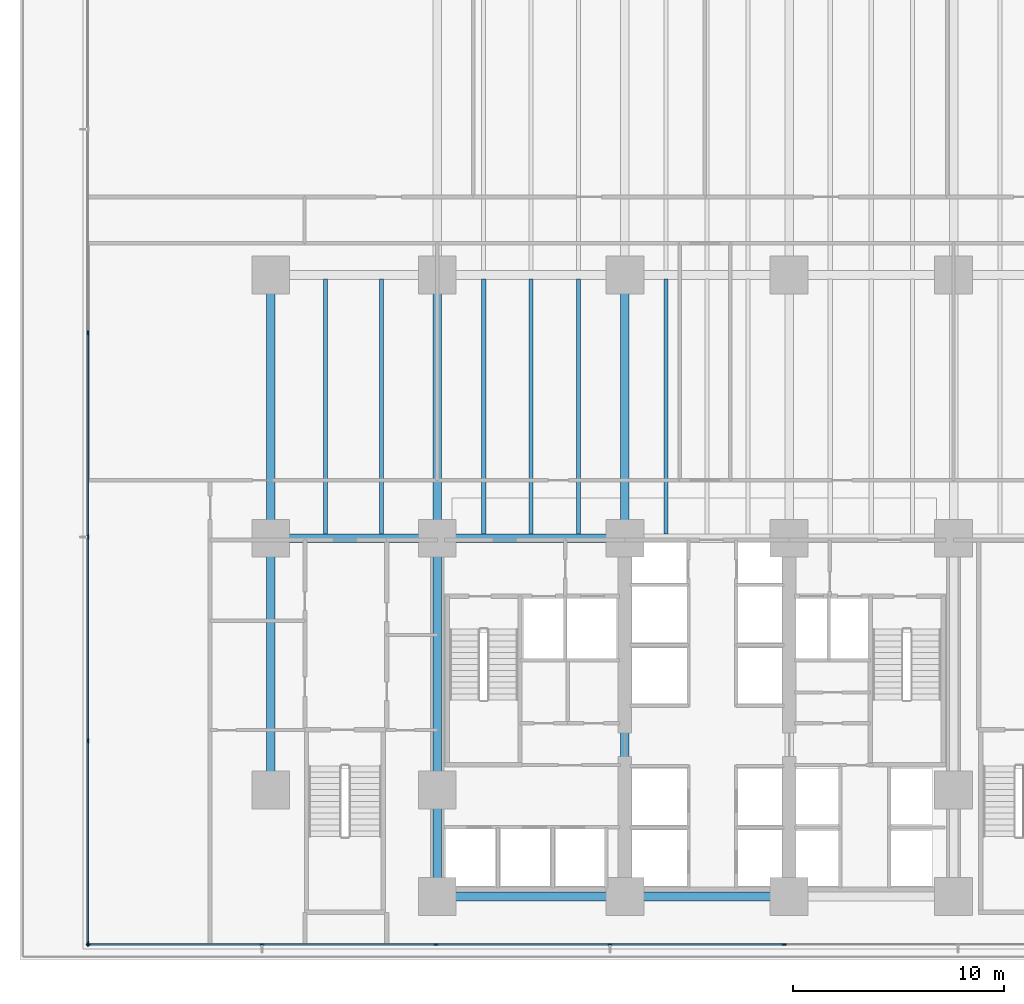
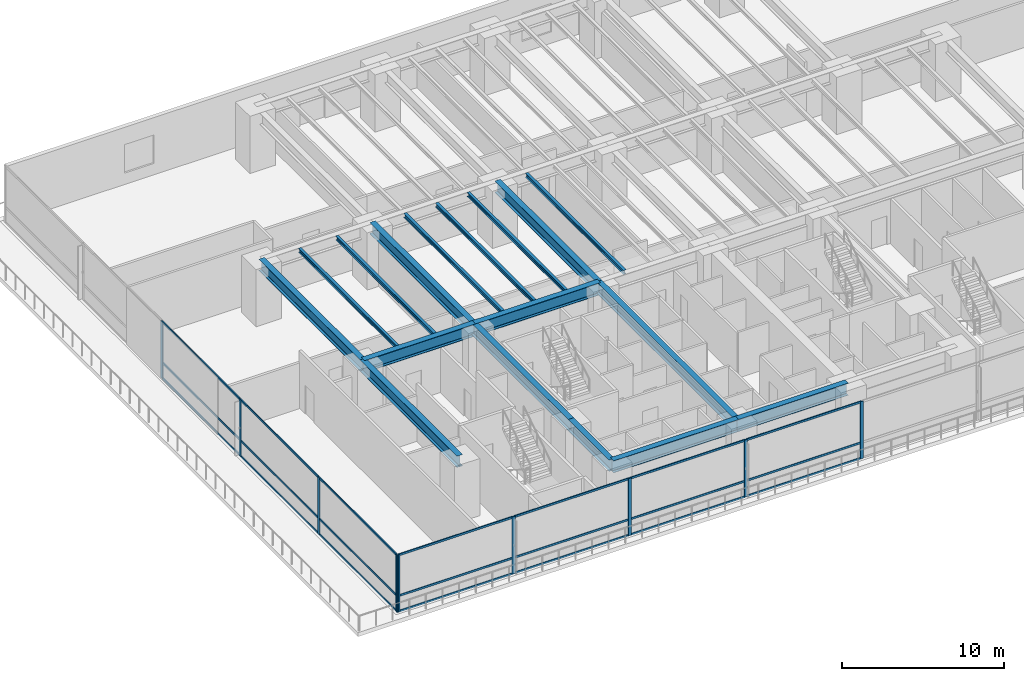
# One storey, part 2 of 24: 30 members, 17 beams, 2 elements without a shape of their own.
"""IFC4 building model written with IfcOpenShell, lengths in metres."""

from ifc_helpers import new_model, si_unit, direction, frame, origin, origin_2d, place, context, subcontext, project, spatial, rectangle, i_section, extrude, material, layer, layer_set, material_profile, profile_set, type_object, element, aggregate, save


model = new_model("IFC4")

# Units and contexts
model_context = context("Model", 3, precision=1e-05, world=origin(), true_north=direction((0.0, 1.0)))
body_context = subcontext(model_context, "Body", "Model", "MODEL_VIEW")
ifc_project = project(units=[si_unit("LENGTHUNIT", "METRE"), si_unit("AREAUNIT", "SQUARE_METRE"), si_unit("VOLUMEUNIT", "CUBIC_METRE"), si_unit("PLANEANGLEUNIT", "RADIAN"), si_unit("MASSUNIT", "GRAM", prefix="KILO")], contexts=[model_context])

# Site, building, storey
site_placement = place(None, origin())
site = spatial("IfcSite", under=ifc_project, at=site_placement, CompositionType="ELEMENT")
building_placement = place(site_placement, origin())
building = spatial("IfcBuilding", under=site, at=building_placement, Name="Qalmaran Belvedere Hotel", CompositionType="ELEMENT")
storey_placement = place(building_placement, frame((0.0, 0.0, 14.60009765625)))
storey = spatial("IfcBuildingStorey", under=building, at=storey_placement, Name="L03", CompositionType="ELEMENT", Elevation=14.60009765625)

# Beams
ifc_material_1 = material(Name="Steel S355JR", Category="steel")
ifc_material_profile_1 = material_profile(ifc_material_1, i_section(OverallWidth=0.202880859375, OverallDepth=0.302978515625, WebThickness=0.007568359375, FlangeThickness=0.01318359375, FilletRadius=0.012939453125, at=origin_2d()), Name="W310X60")
ifc_profile_set_1 = profile_set([ifc_material_profile_1], Name="Steel S355JR")
beam_type_1 = type_object("IfcBeamType", Name="BM-JST-W310X60", PredefinedType="JOIST", material=ifc_profile_set_1)
for number, where, z_axis, x_axis, name in (
    (1, (15.0, 20.70703125, 4.1484375), (0.0, 1.0, 0.0), (-1.0, 0.0, 0.0), "L03 Podium South-Ballroom Joist 041"),
    (2, (17.64990234375, 20.70703125, 4.1484375), (0.0, 1.0, 0.0), (-1.0, 0.0, 0.0), "L03 Podium South-Ballroom Joist 042"),
    (3, (22.5, 20.70703125, 4.1484375), (0.0, 1.0, 0.0), (-1.0, 0.0, 0.0), "L03 Podium South-Ballroom Joist 043"),
    (4, (24.75, 20.70703125, 4.1484375), (0.0, 1.0, 0.0), (-1.0, 0.0, 0.0), "L03 Podium South-Ballroom Joist 045"),
    (5, (27.0, 20.70703125, 4.1484375), (0.0, 1.0, 0.0), (-1.0, 0.0, 0.0), "L03 Podium South-Ballroom Joist 047"),
    (6, (31.14990234375, 20.70703125, 4.1484375), (0.0, 1.0, 0.0), (-1.0, 0.0, 0.0), "L03 Podium South-Ballroom Joist 049"),
):
    element("IfcBeam", number, at=place(storey_placement, frame(where, z_axis=z_axis, x_axis=x_axis)), inside=storey, type_object=beam_type_1, Name=name, PredefinedType="JOIST", context=body_context, shape_type="SweptSolid", body=[
        extrude(i_section(OverallWidth=0.202880859375, OverallDepth=0.302978515625, WebThickness=0.007568359375, FlangeThickness=0.01318359375, FilletRadius=0.012939453125, at=origin_2d()), origin(), (0.0, 0.0, 1.0), 12.0859375),
    ])
ifc_material_profile_2 = material_profile(ifc_material_1, i_section(OverallWidth=0.41796875, OverallDepth=0.912109375, WebThickness=0.019287109375, FlangeThickness=0.031982421875, FilletRadius=0.02392578125, at=origin_2d()), Name="W920X342")
ifc_profile_set_2 = profile_set([ifc_material_profile_2], Name="Steel S355JR")
beam_type_2 = type_object("IfcBeamType", Name="BM-PG2-W920X342", PredefinedType="USERDEFINED", material=ifc_profile_set_2)
beam_1_placement = place(storey_placement, frame((20.300048828125, 3.5, 3.843994140625), z_axis=(1.0, 0.0, 0.0), x_axis=(0.0, 1.0, 0.0)))
element("IfcBeam", 7, at=beam_1_placement, inside=storey, type_object=beam_type_2, Name="L03 Podium Primary Girder GX01", ObjectType="GIRDER", PredefinedType="USERDEFINED", context=body_context, shape_type="SweptSolid", body=[
    extrude(i_section(OverallWidth=0.41796875, OverallDepth=0.912109375, WebThickness=0.019287109375, FlangeThickness=0.031982421875, FilletRadius=0.02392578125, at=origin_2d()), origin(), (0.0, 0.0, 1.0), 8.89990234375),
])
beam_2_placement = place(storey_placement, frame((29.199951171875, 3.5, 3.843994140625), z_axis=(1.0, 0.0, 0.0), x_axis=(0.0, 1.0, 0.0)))
element("IfcBeam", 8, at=beam_2_placement, inside=storey, type_object=beam_type_2, Name="L03 Podium Primary Girder GX02", ObjectType="GIRDER", PredefinedType="USERDEFINED", context=body_context, shape_type="SweptSolid", body=[
    extrude(i_section(OverallWidth=0.41796875, OverallDepth=0.912109375, WebThickness=0.019287109375, FlangeThickness=0.031982421875, FilletRadius=0.02392578125, at=origin_2d()), origin(), (0.0, 0.0, 1.0), 7.800048828125),
])
beam_3_placement = place(storey_placement, frame((12.39990234375, 20.5, 3.843994140625), z_axis=(1.0, 0.0, 0.0), x_axis=(0.0, 1.0, 0.0)))
element("IfcBeam", 9, at=beam_3_placement, inside=storey, type_object=beam_type_2, Name="L03 Podium Primary Girder GX07", ObjectType="GIRDER", PredefinedType="USERDEFINED", context=body_context, shape_type="SweptSolid", body=[
    extrude(i_section(OverallWidth=0.41796875, OverallDepth=0.912109375, WebThickness=0.019287109375, FlangeThickness=0.031982421875, FilletRadius=0.02392578125, at=origin_2d()), origin(), (0.0, 0.0, 1.0), 7.900146484375),
])
beam_4_placement = place(storey_placement, frame((20.300048828125, 20.5, 3.843994140625), z_axis=(1.0, 0.0, 0.0), x_axis=(0.0, 1.0, 0.0)))
element("IfcBeam", 10, at=beam_4_placement, inside=storey, type_object=beam_type_2, Name="L03 Podium Primary Girder GX08", ObjectType="GIRDER", PredefinedType="USERDEFINED", context=body_context, shape_type="SweptSolid", body=[
    extrude(i_section(OverallWidth=0.41796875, OverallDepth=0.912109375, WebThickness=0.019287109375, FlangeThickness=0.031982421875, FilletRadius=0.02392578125, at=origin_2d()), origin(), (0.0, 0.0, 1.0), 8.89990234375),
])
ifc_material_profile_3 = material_profile(ifc_material_1, i_section(OverallWidth=0.39990234375, OverallDepth=0.85498046875, WebThickness=0.018310546875, FlangeThickness=0.029296875, FilletRadius=0.02392578125, at=origin_2d()), Name="W840X299")
ifc_profile_set_3 = profile_set([ifc_material_profile_3], Name="Steel S355JR")
beam_type_3 = type_object("IfcBeamType", Name="BM-PG3-W840X299", PredefinedType="USERDEFINED", material=ifc_profile_set_3)
beam_5_placement = place(storey_placement, frame((12.39990234375, 8.550048828125, 3.872314453125), z_axis=(0.0, 1.0, 0.0), x_axis=(-1.0, 0.0, 0.0)))
element("IfcBeam", 11, at=beam_5_placement, inside=storey, type_object=beam_type_3, Name="L03 Podium Transverse Girder GY22", ObjectType="GIRDER", PredefinedType="USERDEFINED", context=body_context, shape_type="SweptSolid", body=[
    extrude(i_section(OverallWidth=0.39990234375, OverallDepth=0.85498046875, WebThickness=0.018310546875, FlangeThickness=0.029296875, FilletRadius=0.02392578125, at=origin_2d()), origin(), (0.0, 0.0, 1.0), 11.949951171875),
])
beam_6_placement = place(storey_placement, frame((12.39990234375, 20.5, 3.872314453125), z_axis=(0.0, 1.0, 0.0), x_axis=(-1.0, 0.0, 0.0)))
element("IfcBeam", 12, at=beam_6_placement, inside=storey, type_object=beam_type_3, Name="L03 Podium Transverse Girder GY23", ObjectType="GIRDER", PredefinedType="USERDEFINED", context=body_context, shape_type="SweptSolid", body=[
    extrude(i_section(OverallWidth=0.39990234375, OverallDepth=0.85498046875, WebThickness=0.018310546875, FlangeThickness=0.029296875, FilletRadius=0.02392578125, at=origin_2d()), origin(), (0.0, 0.0, 1.0), 12.5),
])
beam_7_placement = place(storey_placement, frame((20.300048828125, 3.5, 3.872314453125), z_axis=(0.0, 1.0, 0.0), x_axis=(-1.0, 0.0, 0.0)))
element("IfcBeam", 13, at=beam_7_placement, inside=storey, type_object=beam_type_3, Name="L03 Podium Transverse Girder GY24", ObjectType="GIRDER", PredefinedType="USERDEFINED", context=body_context, shape_type="SweptSolid", body=[
    extrude(i_section(OverallWidth=0.39990234375, OverallDepth=0.85498046875, WebThickness=0.018310546875, FlangeThickness=0.029296875, FilletRadius=0.02392578125, at=origin_2d()), origin(), (0.0, 0.0, 1.0), 5.050048828125),
])
beam_8_placement = place(storey_placement, frame((20.300048828125, 8.550048828125, 3.872314453125), z_axis=(0.0, 1.0, 0.0), x_axis=(-1.0, 0.0, 0.0)))
element("IfcBeam", 14, at=beam_8_placement, inside=storey, type_object=beam_type_3, Name="L03 Podium Transverse Girder GY25", ObjectType="GIRDER", PredefinedType="USERDEFINED", context=body_context, shape_type="SweptSolid", body=[
    extrude(i_section(OverallWidth=0.39990234375, OverallDepth=0.85498046875, WebThickness=0.018310546875, FlangeThickness=0.029296875, FilletRadius=0.02392578125, at=origin_2d()), origin(), (0.0, 0.0, 1.0), 11.949951171875),
])
beam_9_placement = place(storey_placement, frame((20.300048828125, 20.5, 3.872314453125), z_axis=(0.0, 1.0, 0.0), x_axis=(-1.0, 0.0, 0.0)))
element("IfcBeam", 15, at=beam_9_placement, inside=storey, type_object=beam_type_3, Name="L03 Podium Transverse Girder GY26", ObjectType="GIRDER", PredefinedType="USERDEFINED", context=body_context, shape_type="SweptSolid", body=[
    extrude(i_section(OverallWidth=0.39990234375, OverallDepth=0.85498046875, WebThickness=0.018310546875, FlangeThickness=0.029296875, FilletRadius=0.02392578125, at=origin_2d()), origin(), (0.0, 0.0, 1.0), 12.5),
])
beam_10_placement = place(storey_placement, frame((29.199951171875, 3.5, 3.872314453125), z_axis=(0.0, 1.0, 0.0), x_axis=(-1.0, 0.0, 0.0)))
element("IfcBeam", 16, at=beam_10_placement, inside=storey, type_object=beam_type_3, Name="L03 Podium Transverse Girder GY28", ObjectType="GIRDER", PredefinedType="USERDEFINED", context=body_context, shape_type="SweptSolid", body=[
    extrude(i_section(OverallWidth=0.39990234375, OverallDepth=0.85498046875, WebThickness=0.018310546875, FlangeThickness=0.029296875, FilletRadius=0.02392578125, at=origin_2d()), origin(), (0.0, 0.0, 1.0), 17.0),
])
beam_11_placement = place(storey_placement, frame((29.199951171875, 20.5, 3.872314453125), z_axis=(0.0, 1.0, 0.0), x_axis=(-1.0, 0.0, 0.0)))
element("IfcBeam", 17, at=beam_11_placement, inside=storey, type_object=beam_type_3, Name="L03 Podium Transverse Girder GY29", ObjectType="GIRDER", PredefinedType="USERDEFINED", context=body_context, shape_type="SweptSolid", body=[
    extrude(i_section(OverallWidth=0.39990234375, OverallDepth=0.85498046875, WebThickness=0.018310546875, FlangeThickness=0.029296875, FilletRadius=0.02392578125, at=origin_2d()), origin(), (0.0, 0.0, 1.0), 12.5),
])

# Curtain wall, members
ifc_material_2 = material(Name="Anodised Bronze Aluminium", Category="aluminium")
ifc_layer = layer(ifc_material_2, 0.219970703125, Name="Anodised Bronze Aluminium")
ifc_layer_set = layer_set([ifc_layer], Name="Anodised Bronze Aluminium")
curtain_wall_type = type_object("IfcCurtainWallType", Name="CW1-PODIUM-BRONZE", PredefinedType="NOTDEFINED", material=ifc_layer_set)
curtain_wall_1_placement = place(storey_placement, origin())
curtain_wall_1 = element("IfcCurtainWall", 18, at=curtain_wall_1_placement, inside=storey, type_object=curtain_wall_type, Name="L03 Curtain Wall CW1", PredefinedType="NOTDEFINED")
ifc_material_profile_4 = material_profile(ifc_material_2, rectangle(XDim=0.074951171875, YDim=0.219970703125, at=origin_2d()), Name="CWM75X220")
ifc_profile_set_4 = profile_set([ifc_material_profile_4], Name="Anodised Bronze Aluminium")
member_type_1 = type_object("IfcMemberType", Name="CWM-75X220", PredefinedType="MULLION", material=ifc_profile_set_4)
member_1_placement = place(storey_placement, frame((3.757568359375, 1.219970703125, 0.0), z_axis=(0.0, 0.0, 1.0), x_axis=(0.0, 1.0, 0.0)))
member_1 = element("IfcMember", 19, at=member_1_placement, type_object=member_type_1, Name="CW1 mullion 1", PredefinedType="MULLION", context=body_context, shape_type="SweptSolid", body=[
    extrude(rectangle(XDim=0.074951171875, YDim=0.219970703125, at=origin_2d()), origin(), (0.0, 0.0, 1.0), 4.2998046875),
])
member_2_placement = place(storey_placement, frame((11.9775390625, 1.219970703125, 0.0), z_axis=(0.0, 0.0, 1.0), x_axis=(0.0, 1.0, 0.0)))
member_2 = element("IfcMember", 20, at=member_2_placement, type_object=member_type_1, Name="CW1 mullion 2", PredefinedType="MULLION", context=body_context, shape_type="SweptSolid", body=[
    extrude(rectangle(XDim=0.074951171875, YDim=0.219970703125, at=origin_2d()), origin(), (0.0, 0.0, 1.0), 4.2998046875),
])
member_3_placement = place(storey_placement, frame((20.235107421875, 1.219970703125, 0.0), z_axis=(0.0, 0.0, 1.0), x_axis=(0.0, 1.0, 0.0)))
member_3 = element("IfcMember", 21, at=member_3_placement, type_object=member_type_1, Name="CW1 mullion 3", PredefinedType="MULLION", context=body_context, shape_type="SweptSolid", body=[
    extrude(rectangle(XDim=0.074951171875, YDim=0.219970703125, at=origin_2d()), origin(), (0.0, 0.0, 1.0), 4.2998046875),
])
member_4_placement = place(storey_placement, frame((28.492431640625, 1.219970703125, 0.0), z_axis=(0.0, 0.0, 1.0), x_axis=(0.0, 1.0, 0.0)))
member_4 = element("IfcMember", 22, at=member_4_placement, type_object=member_type_1, Name="CW1 mullion 4", PredefinedType="MULLION", context=body_context, shape_type="SweptSolid", body=[
    extrude(rectangle(XDim=0.074951171875, YDim=0.219970703125, at=origin_2d()), origin(), (0.0, 0.0, 1.0), 4.2998046875),
])
member_5_placement = place(storey_placement, frame((36.75, 1.219970703125, 0.0), z_axis=(0.0, 0.0, 1.0), x_axis=(0.0, 1.0, 0.0)))
member_5 = element("IfcMember", 23, at=member_5_placement, type_object=member_type_1, Name="CW1 mullion 5", PredefinedType="MULLION", context=body_context, shape_type="SweptSolid", body=[
    extrude(rectangle(XDim=0.074951171875, YDim=0.219970703125, at=origin_2d()), origin(), (0.0, 0.0, 1.0), 4.2998046875),
])

curtain_wall_2_placement = place(storey_placement, origin())
curtain_wall_2 = element("IfcCurtainWall", 24, at=curtain_wall_2_placement, inside=storey, type_object=curtain_wall_type, Name="L03 Curtain Wall CW1", PredefinedType="NOTDEFINED")
member_6_placement = place(storey_placement, frame((3.719970703125, 30.236083984375, 0.0), z_axis=(0.0, 0.0, 1.0), x_axis=(1.0, 0.0, 0.0)))
member_6 = element("IfcMember", 25, at=member_6_placement, type_object=member_type_1, Name="CW1 mullion 3", PredefinedType="MULLION", context=body_context, shape_type="SweptSolid", body=[
    extrude(rectangle(XDim=0.074951171875, YDim=0.219970703125, at=origin_2d()), origin(), (0.0, 0.0, 1.0), 4.2998046875),
])
member_7_placement = place(storey_placement, frame((3.719970703125, 20.56396484375, 0.0), z_axis=(0.0, 0.0, 1.0), x_axis=(1.0, 0.0, 0.0)))
member_7 = element("IfcMember", 26, at=member_7_placement, type_object=member_type_1, Name="CW1 mullion 4", PredefinedType="MULLION", context=body_context, shape_type="SweptSolid", body=[
    extrude(rectangle(XDim=0.074951171875, YDim=0.219970703125, at=origin_2d()), origin(), (0.0, 0.0, 1.0), 4.2998046875),
])
member_8_placement = place(storey_placement, frame((3.719970703125, 10.89208984375, 0.0), z_axis=(0.0, 0.0, 1.0), x_axis=(1.0, 0.0, 0.0)))
member_8 = element("IfcMember", 27, at=member_8_placement, type_object=member_type_1, Name="CW1 mullion 5", PredefinedType="MULLION", context=body_context, shape_type="SweptSolid", body=[
    extrude(rectangle(XDim=0.074951171875, YDim=0.219970703125, at=origin_2d()), origin(), (0.0, 0.0, 1.0), 4.2998046875),
])
member_9_placement = place(storey_placement, frame((3.719970703125, 1.257568359375, 0.0), z_axis=(0.0, 0.0, 1.0), x_axis=(1.0, 0.0, 0.0)))
member_9 = element("IfcMember", 28, at=member_9_placement, type_object=member_type_1, Name="CW1 mullion 6", PredefinedType="MULLION", context=body_context, shape_type="SweptSolid", body=[
    extrude(rectangle(XDim=0.074951171875, YDim=0.219970703125, at=origin_2d()), origin(), (0.0, 0.0, 1.0), 4.2998046875),
])

# Member
ifc_material_profile_5 = material_profile(ifc_material_2, rectangle(XDim=0.070068359375, YDim=0.14990234375, at=origin_2d()), Name="CWT70X150")
ifc_profile_set_5 = profile_set([ifc_material_profile_5], Name="Anodised Bronze Aluminium")
member_type_2 = type_object("IfcMemberType", Name="CWT-70X150", PredefinedType="USERDEFINED", material=ifc_profile_set_5)
member_10_placement = place(storey_placement, frame((3.794921875, 1.219970703125, 0.034912109375), z_axis=(1.0, 0.0, 0.0), x_axis=(0.0, 1.0, 0.0)))
member_10 = element("IfcMember", 29, at=member_10_placement, type_object=member_type_2, Name="CW1 transom 1.1", ObjectType="TRANSOM", PredefinedType="USERDEFINED", context=body_context, shape_type="SweptSolid", body=[
    extrude(rectangle(XDim=0.070068359375, YDim=0.14990234375, at=origin_2d()), origin(), (0.0, 0.0, 1.0), 8.14501953125),
])

member_11_placement = place(storey_placement, frame((3.794921875, 1.219970703125, 1.203857421875), z_axis=(1.0, 0.0, 0.0), x_axis=(0.0, 1.0, 0.0)))
member_11 = element("IfcMember", 30, at=member_11_placement, type_object=member_type_2, Name="CW1 transom 1.2", ObjectType="TRANSOM", PredefinedType="USERDEFINED", context=body_context, shape_type="SweptSolid", body=[
    extrude(rectangle(XDim=0.070068359375, YDim=0.14990234375, at=origin_2d()), origin(), (0.0, 0.0, 1.0), 8.14501953125),
])

member_12_placement = place(storey_placement, frame((3.794921875, 1.219970703125, 4.264892578125), z_axis=(1.0, 0.0, 0.0), x_axis=(0.0, 1.0, 0.0)))
member_12 = element("IfcMember", 31, at=member_12_placement, type_object=member_type_2, Name="CW1 transom 1.3", ObjectType="TRANSOM", PredefinedType="USERDEFINED", context=body_context, shape_type="SweptSolid", body=[
    extrude(rectangle(XDim=0.070068359375, YDim=0.14990234375, at=origin_2d()), origin(), (0.0, 0.0, 1.0), 8.14501953125),
])

member_13_placement = place(storey_placement, frame((12.014892578125, 1.219970703125, 0.034912109375), z_axis=(1.0, 0.0, 0.0), x_axis=(0.0, 1.0, 0.0)))
member_13 = element("IfcMember", 32, at=member_13_placement, type_object=member_type_2, Name="CW1 transom 2.1", ObjectType="TRANSOM", PredefinedType="USERDEFINED", context=body_context, shape_type="SweptSolid", body=[
    extrude(rectangle(XDim=0.070068359375, YDim=0.14990234375, at=origin_2d()), origin(), (0.0, 0.0, 1.0), 8.1826171875),
])

member_14_placement = place(storey_placement, frame((12.014892578125, 1.219970703125, 1.203857421875), z_axis=(1.0, 0.0, 0.0), x_axis=(0.0, 1.0, 0.0)))
member_14 = element("IfcMember", 33, at=member_14_placement, type_object=member_type_2, Name="CW1 transom 2.2", ObjectType="TRANSOM", PredefinedType="USERDEFINED", context=body_context, shape_type="SweptSolid", body=[
    extrude(rectangle(XDim=0.070068359375, YDim=0.14990234375, at=origin_2d()), origin(), (0.0, 0.0, 1.0), 8.1826171875),
])

member_15_placement = place(storey_placement, frame((12.014892578125, 1.219970703125, 4.264892578125), z_axis=(1.0, 0.0, 0.0), x_axis=(0.0, 1.0, 0.0)))
member_15 = element("IfcMember", 34, at=member_15_placement, type_object=member_type_2, Name="CW1 transom 2.3", ObjectType="TRANSOM", PredefinedType="USERDEFINED", context=body_context, shape_type="SweptSolid", body=[
    extrude(rectangle(XDim=0.070068359375, YDim=0.14990234375, at=origin_2d()), origin(), (0.0, 0.0, 1.0), 8.1826171875),
])

member_16_placement = place(storey_placement, frame((20.2724609375, 1.219970703125, 0.034912109375), z_axis=(1.0, 0.0, 0.0), x_axis=(0.0, 1.0, 0.0)))
member_16 = element("IfcMember", 35, at=member_16_placement, type_object=member_type_2, Name="CW1 transom 3.1", ObjectType="TRANSOM", PredefinedType="USERDEFINED", context=body_context, shape_type="SweptSolid", body=[
    extrude(rectangle(XDim=0.070068359375, YDim=0.14990234375, at=origin_2d()), origin(), (0.0, 0.0, 1.0), 8.1826171875),
])

member_17_placement = place(storey_placement, frame((20.2724609375, 1.219970703125, 1.203857421875), z_axis=(1.0, 0.0, 0.0), x_axis=(0.0, 1.0, 0.0)))
member_17 = element("IfcMember", 36, at=member_17_placement, type_object=member_type_2, Name="CW1 transom 3.2", ObjectType="TRANSOM", PredefinedType="USERDEFINED", context=body_context, shape_type="SweptSolid", body=[
    extrude(rectangle(XDim=0.070068359375, YDim=0.14990234375, at=origin_2d()), origin(), (0.0, 0.0, 1.0), 8.1826171875),
])

member_18_placement = place(storey_placement, frame((20.2724609375, 1.219970703125, 4.264892578125), z_axis=(1.0, 0.0, 0.0), x_axis=(0.0, 1.0, 0.0)))
member_18 = element("IfcMember", 37, at=member_18_placement, type_object=member_type_2, Name="CW1 transom 3.3", ObjectType="TRANSOM", PredefinedType="USERDEFINED", context=body_context, shape_type="SweptSolid", body=[
    extrude(rectangle(XDim=0.070068359375, YDim=0.14990234375, at=origin_2d()), origin(), (0.0, 0.0, 1.0), 8.1826171875),
])

member_19_placement = place(storey_placement, frame((28.530029296875, 1.219970703125, 0.034912109375), z_axis=(1.0, 0.0, 0.0), x_axis=(0.0, 1.0, 0.0)))
member_19 = element("IfcMember", 38, at=member_19_placement, type_object=member_type_2, Name="CW1 transom 4.1", ObjectType="TRANSOM", PredefinedType="USERDEFINED", context=body_context, shape_type="SweptSolid", body=[
    extrude(rectangle(XDim=0.070068359375, YDim=0.14990234375, at=origin_2d()), origin(), (0.0, 0.0, 1.0), 8.182373046875),
])

member_20_placement = place(storey_placement, frame((28.530029296875, 1.219970703125, 1.203857421875), z_axis=(1.0, 0.0, 0.0), x_axis=(0.0, 1.0, 0.0)))
member_20 = element("IfcMember", 39, at=member_20_placement, type_object=member_type_2, Name="CW1 transom 4.2", ObjectType="TRANSOM", PredefinedType="USERDEFINED", context=body_context, shape_type="SweptSolid", body=[
    extrude(rectangle(XDim=0.070068359375, YDim=0.14990234375, at=origin_2d()), origin(), (0.0, 0.0, 1.0), 8.182373046875),
])

member_21_placement = place(storey_placement, frame((28.530029296875, 1.219970703125, 4.264892578125), z_axis=(1.0, 0.0, 0.0), x_axis=(0.0, 1.0, 0.0)))
member_21 = element("IfcMember", 40, at=member_21_placement, type_object=member_type_2, Name="CW1 transom 4.3", ObjectType="TRANSOM", PredefinedType="USERDEFINED", context=body_context, shape_type="SweptSolid", body=[
    extrude(rectangle(XDim=0.070068359375, YDim=0.14990234375, at=origin_2d()), origin(), (0.0, 0.0, 1.0), 8.182373046875),
])

aggregate(curtain_wall_1, [member_1, member_2, member_3, member_4, member_5, member_10, member_11, member_12, member_13, member_14, member_15, member_16, member_17, member_18, member_19, member_20, member_21])

member_22_placement = place(storey_placement, frame((3.719970703125, 30.198486328125, 0.034912109375), z_axis=(0.0, -1.0, 0.0), x_axis=(1.0, 0.0, 0.0)))
member_22 = element("IfcMember", 41, at=member_22_placement, type_object=member_type_2, Name="CW1 transom 3.1", ObjectType="TRANSOM", PredefinedType="USERDEFINED", context=body_context, shape_type="SweptSolid", body=[
    extrude(rectangle(XDim=0.070068359375, YDim=0.14990234375, at=origin_2d()), origin(), (0.0, 0.0, 1.0), 9.596923828125),
])

member_23_placement = place(storey_placement, frame((3.719970703125, 30.198486328125, 1.203857421875), z_axis=(0.0, -1.0, 0.0), x_axis=(1.0, 0.0, 0.0)))
member_23 = element("IfcMember", 42, at=member_23_placement, type_object=member_type_2, Name="CW1 transom 3.2", ObjectType="TRANSOM", PredefinedType="USERDEFINED", context=body_context, shape_type="SweptSolid", body=[
    extrude(rectangle(XDim=0.070068359375, YDim=0.14990234375, at=origin_2d()), origin(), (0.0, 0.0, 1.0), 9.596923828125),
])

member_24_placement = place(storey_placement, frame((3.719970703125, 30.198486328125, 4.264892578125), z_axis=(0.0, -1.0, 0.0), x_axis=(1.0, 0.0, 0.0)))
member_24 = element("IfcMember", 43, at=member_24_placement, type_object=member_type_2, Name="CW1 transom 3.3", ObjectType="TRANSOM", PredefinedType="USERDEFINED", context=body_context, shape_type="SweptSolid", body=[
    extrude(rectangle(XDim=0.070068359375, YDim=0.14990234375, at=origin_2d()), origin(), (0.0, 0.0, 1.0), 9.596923828125),
])

member_25_placement = place(storey_placement, frame((3.719970703125, 20.526611328125, 0.034912109375), z_axis=(0.0, -1.0, 0.0), x_axis=(1.0, 0.0, 0.0)))
member_25 = element("IfcMember", 44, at=member_25_placement, type_object=member_type_2, Name="CW1 transom 4.1", ObjectType="TRANSOM", PredefinedType="USERDEFINED", context=body_context, shape_type="SweptSolid", body=[
    extrude(rectangle(XDim=0.070068359375, YDim=0.14990234375, at=origin_2d()), origin(), (0.0, 0.0, 1.0), 9.59716796875),
])

member_26_placement = place(storey_placement, frame((3.719970703125, 20.526611328125, 1.203857421875), z_axis=(0.0, -1.0, 0.0), x_axis=(1.0, 0.0, 0.0)))
member_26 = element("IfcMember", 45, at=member_26_placement, type_object=member_type_2, Name="CW1 transom 4.2", ObjectType="TRANSOM", PredefinedType="USERDEFINED", context=body_context, shape_type="SweptSolid", body=[
    extrude(rectangle(XDim=0.070068359375, YDim=0.14990234375, at=origin_2d()), origin(), (0.0, 0.0, 1.0), 9.59716796875),
])

member_27_placement = place(storey_placement, frame((3.719970703125, 20.526611328125, 4.264892578125), z_axis=(0.0, -1.0, 0.0), x_axis=(1.0, 0.0, 0.0)))
member_27 = element("IfcMember", 46, at=member_27_placement, type_object=member_type_2, Name="CW1 transom 4.3", ObjectType="TRANSOM", PredefinedType="USERDEFINED", context=body_context, shape_type="SweptSolid", body=[
    extrude(rectangle(XDim=0.070068359375, YDim=0.14990234375, at=origin_2d()), origin(), (0.0, 0.0, 1.0), 9.59716796875),
])

member_28_placement = place(storey_placement, frame((3.719970703125, 10.8544921875, 0.034912109375), z_axis=(0.0, -1.0, 0.0), x_axis=(1.0, 0.0, 0.0)))
member_28 = element("IfcMember", 47, at=member_28_placement, type_object=member_type_2, Name="CW1 transom 5.1", ObjectType="TRANSOM", PredefinedType="USERDEFINED", context=body_context, shape_type="SweptSolid", body=[
    extrude(rectangle(XDim=0.070068359375, YDim=0.14990234375, at=origin_2d()), origin(), (0.0, 0.0, 1.0), 9.5595703125),
])

member_29_placement = place(storey_placement, frame((3.719970703125, 10.8544921875, 1.203857421875), z_axis=(0.0, -1.0, 0.0), x_axis=(1.0, 0.0, 0.0)))
member_29 = element("IfcMember", 48, at=member_29_placement, type_object=member_type_2, Name="CW1 transom 5.2", ObjectType="TRANSOM", PredefinedType="USERDEFINED", context=body_context, shape_type="SweptSolid", body=[
    extrude(rectangle(XDim=0.070068359375, YDim=0.14990234375, at=origin_2d()), origin(), (0.0, 0.0, 1.0), 9.5595703125),
])

member_30_placement = place(storey_placement, frame((3.719970703125, 10.8544921875, 4.264892578125), z_axis=(0.0, -1.0, 0.0), x_axis=(1.0, 0.0, 0.0)))
member_30 = element("IfcMember", 49, at=member_30_placement, type_object=member_type_2, Name="CW1 transom 5.3", ObjectType="TRANSOM", PredefinedType="USERDEFINED", context=body_context, shape_type="SweptSolid", body=[
    extrude(rectangle(XDim=0.070068359375, YDim=0.14990234375, at=origin_2d()), origin(), (0.0, 0.0, 1.0), 9.5595703125),
])

aggregate(curtain_wall_2, [member_6, member_7, member_8, member_9, member_22, member_23, member_24, member_25, member_26, member_27, member_28, member_29, member_30])

save(model, "model.ifc")
